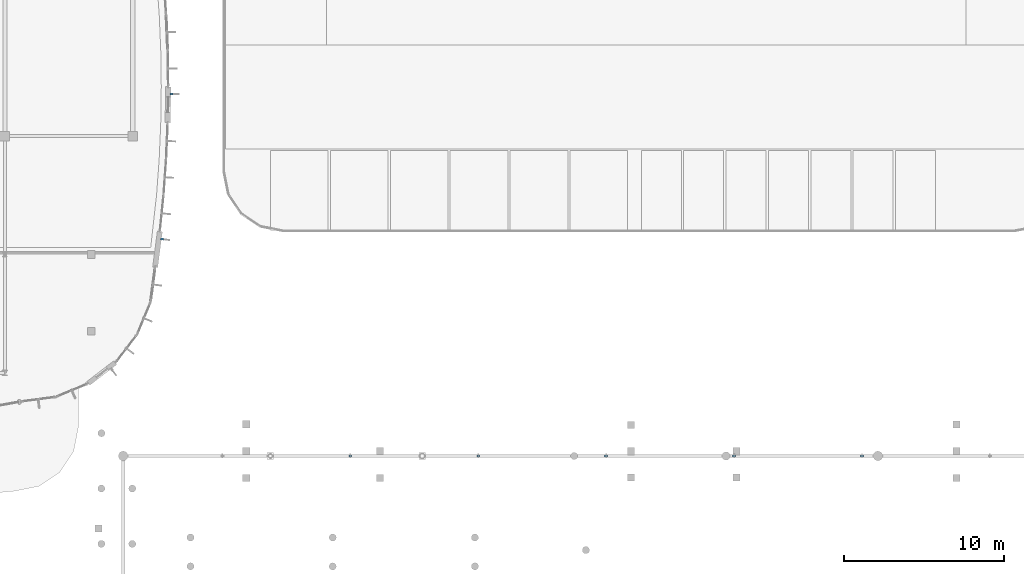
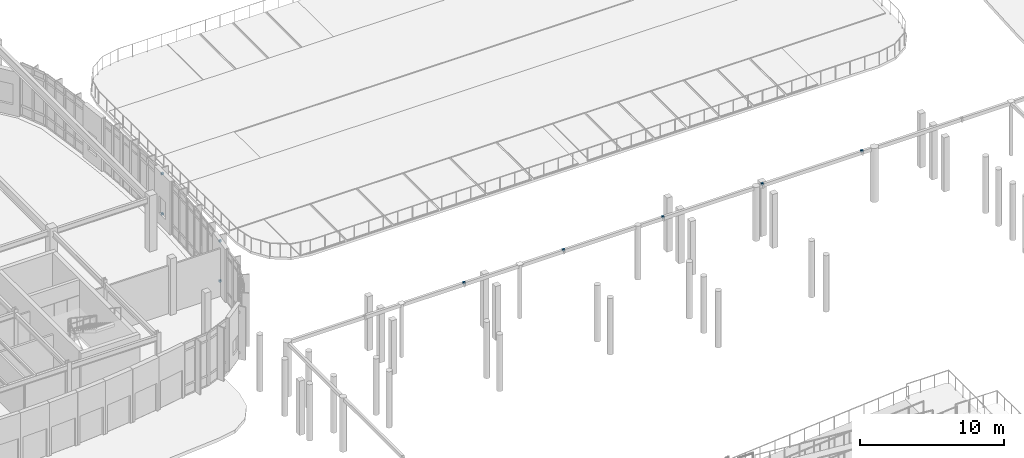
# One storey, part 100 of 120: 9 discrete accessories.
"""IFC4 building model written with IfcOpenShell, lengths in metres."""

import ifcopenshell
import ifcopenshell.guid

model = None  # the IFC model being written
_history = None  # IfcOwnerHistory: only IFC2X3 demands one
_inside = {}  # id of a spatial element -> (the spatial element, [elements in it])
_under = {}  # id of a project, library or spatial element -> (it, [spatial elements below it])
_declared = {}  # id of a project -> (the project, [libraries it declares])
_typed = {}  # id of a type object -> (the type object, [elements of that type])
_made_of = {}  # id of a material, layer set ... -> (it, [elements and type objects made of it])


def new_model(schema):
    """Start an empty IFC model of exactly this schema.

    Asked for "IFC4X3", IfcOpenShell would pick the latest addendum, in which some entities
    have other attributes; the version numbers below select the first issue.
    IFC2X3 requires an IfcOwnerHistory on every rooted entity: one is made here for all.
    """
    global model, _history
    if schema == "IFC4X3":
        model = ifcopenshell.file(schema_version=(4, 3, 0, 0))
    else:
        model = ifcopenshell.file(schema=schema)
    _inside.clear()
    _under.clear()
    _declared.clear()
    _typed.clear()
    _made_of.clear()
    _history = None
    if model.schema == "IFC2X3":
        org = make("IfcOrganization", Name="unknown")
        user = make(
            "IfcPersonAndOrganization",
            ThePerson=make("IfcPerson", FamilyName="unknown"),
            TheOrganization=org,
        )
        app = make(
            "IfcApplication",
            ApplicationDeveloper=org,
            Version="unknown",
            ApplicationFullName="unknown",
            ApplicationIdentifier="unknown",
        )
        _history = make(
            "IfcOwnerHistory",
            OwningUser=user,
            OwningApplication=app,
            ChangeAction="ADDED",
            CreationDate=0,
        )
    return model


def make(cls, **values):
    """One entity of the class cls with the attributes given. An attribute that is None is left unset."""
    return model.create_entity(
        cls, **{name: value for name, value in values.items() if value is not None}
    )


def rooted(cls, **values):
    """An entity with a GlobalId (a new one), such as an element, a storey or a relation."""
    return make(cls, GlobalId=ifcopenshell.guid.new(), OwnerHistory=_history, **values)


def si_unit(unit_type, name, prefix=None):
    """IfcSIUnit, for example si_unit("LENGTHUNIT", "METRE", prefix="MILLI")."""
    return make("IfcSIUnit", UnitType=unit_type, Prefix=prefix, Name=name)


def assignment(units):
    """IfcUnitAssignment: the units of a project."""
    return None if units is None else make("IfcUnitAssignment", Units=units)


def point(xyz):
    """IfcCartesianPoint."""
    return None if xyz is None else make("IfcCartesianPoint", Coordinates=xyz)


def direction(xyz):
    """IfcDirection."""
    return None if xyz is None else make("IfcDirection", DirectionRatios=xyz)


def frame(location, z_axis=None, x_axis=None):
    """IfcAxis2Placement3D, a coordinate frame: its origin and axes. An axis left out is left unset."""
    return make(
        "IfcAxis2Placement3D",
        Location=point(location),
        Axis=direction(z_axis),
        RefDirection=direction(x_axis),
    )


def frame_2d(location, x_axis=None):
    """IfcAxis2Placement2D, a coordinate frame in the plane: its origin and x axis."""
    return make(
        "IfcAxis2Placement2D", Location=point(location), RefDirection=direction(x_axis)
    )


def origin():
    """The frame at (0, 0, 0) with its axes left unset."""
    return frame((0.0, 0.0, 0.0))


def origin_2d():
    """The frame at (0, 0) in the plane with its x axis left unset."""
    return frame_2d((0.0, 0.0))


def place(relative_to, where):
    """IfcLocalPlacement: puts the frame where relative to a parent placement (None: the world)."""
    return make(
        "IfcLocalPlacement", PlacementRelTo=relative_to, RelativePlacement=where
    )


def context(
    kind, dimensions, precision=None, world=None, true_north=None, identifier=None
):
    """IfcGeometricRepresentationContext, for example the 3D "Model" context."""
    return make(
        "IfcGeometricRepresentationContext",
        ContextIdentifier=identifier,
        ContextType=kind,
        CoordinateSpaceDimension=dimensions,
        Precision=precision,
        WorldCoordinateSystem=world,
        TrueNorth=true_north,
    )


def subcontext(parent, identifier, kind, view, scale=None):
    """IfcGeometricRepresentationSubContext, for example "Body" below "Model"."""
    return make(
        "IfcGeometricRepresentationSubContext",
        ContextIdentifier=identifier,
        ContextType=kind,
        ParentContext=parent,
        TargetScale=scale,
        TargetView=view,
    )


def project(units=None, contexts=None):
    """IfcProject with its units and contexts."""
    return rooted(
        "IfcProject",
        Name="project",
        RepresentationContexts=contexts,
        UnitsInContext=assignment(units),
    )


def spatial(cls, under=None, at=None, **own):
    """A site, building, storey or space (cls), placed at a placement, below another one or the project."""
    s = rooted(cls, ObjectPlacement=at, **own)
    if under is not None:
        _under.setdefault(under.id(), (under, []))[1].append(s)
    return s


def profile(cls, at=None, kind="AREA", **sizes):
    """A parametric profile (cls). Its sizes go by their IFC names, for example OverallWidth=200.0."""
    return make(cls, ProfileType=kind, Position=at, **sizes)


def rectangle(**sizes):
    """IfcRectangleProfileDef."""
    return profile("IfcRectangleProfileDef", **sizes)


def extrude(swept, where, along, depth):
    """IfcExtrudedAreaSolid: the profile swept, set in the frame where, extruded along a direction by depth."""
    return make(
        "IfcExtrudedAreaSolid",
        SweptArea=swept,
        Position=where,
        ExtrudedDirection=direction(along),
        Depth=depth,
    )


def shape(context_of_items, identifier, shape_type, items):
    """IfcShapeRepresentation: the items that make up one representation, for example the "Body"."""
    return make(
        "IfcShapeRepresentation",
        ContextOfItems=context_of_items,
        RepresentationIdentifier=identifier,
        RepresentationType=shape_type,
        Items=items,
    )


def material(Name=None, Category=None):
    """IfcMaterial."""
    return make("IfcMaterial", Name=Name, Category=Category)


def made_of(thing, what):
    """Note that an element or type object is made of a material, layer set ...; save() writes the relation."""
    if what is not None:
        _made_of.setdefault(what.id(), (what, []))[1].append(thing)
    return thing


def type_object(cls, material=None, **own):
    """A type object (cls), such as IfcWallType, which elements share."""
    return made_of(rooted(cls, **own), material)


def element(
    cls,
    number,
    at=None,
    inside=None,
    cuts=None,
    type_object=None,
    material=None,
    context=None,
    identifier="Body",
    shape_type=None,
    held_by="IfcProductDefinitionShape",
    body=None,
    shapes=None,
    **own,
):
    """One element of the class cls, such as IfcWall. Its Tag is "e" and its number.

    at: its placement. inside: the storey or other place that contains it. cuts: it is an
    opening in that element (IfcRelVoidsElement). A single representation is given by context,
    identifier, shape_type and body (its items); several are given by shapes. held_by: the class
    of the entity that holds the representations. save() writes the other relations.
    """
    e = rooted(cls, Tag="e%d" % number, ObjectPlacement=at, **own)
    if body is not None:
        shapes = [shape(context, identifier, shape_type, body)]
    if shapes is not None:
        e.Representation = make(held_by, Representations=shapes)
    if inside is not None:
        _inside.setdefault(inside.id(), (inside, []))[1].append(e)
    if cuts is not None:
        rooted(
            "IfcRelVoidsElement", RelatingBuildingElement=cuts, RelatedOpeningElement=e
        )
    if type_object is not None:
        _typed.setdefault(type_object.id(), (type_object, []))[1].append(e)
    return made_of(e, material)


def aggregate(whole, parts):
    """IfcRelAggregates: a whole, such as a stair, and the parts it consists of."""
    return rooted("IfcRelAggregates", RelatingObject=whole, RelatedObjects=parts)


def save(model, path):
    """Write the relations noted so far, then the file.

    IfcRelAggregates (storeys below a building ...), IfcRelContainedInSpatialStructure (elements
    in a storey), IfcRelDefinesByType, IfcRelAssociatesMaterial and IfcRelDeclares: one each for
    every whole, place, type object, material and project.
    """
    for whole, parts in _under.values():
        aggregate(whole, parts)
    for where, things in _inside.values():
        rooted(
            "IfcRelContainedInSpatialStructure",
            RelatedElements=things,
            RelatingStructure=where,
        )
    for kind, things in _typed.values():
        rooted("IfcRelDefinesByType", RelatedObjects=things, RelatingType=kind)
    for what, things in _made_of.values():
        rooted("IfcRelAssociatesMaterial", RelatedObjects=things, RelatingMaterial=what)
    for by, libraries in _declared.values():
        rooted("IfcRelDeclares", RelatingContext=by, RelatedDefinitions=libraries)
    model.write(path)


model = new_model("IFC4")

# Units and contexts
model_context = context("Model", 3, precision=1e-05, world=origin(), true_north=direction((0.0, 1.0)))
body_context = subcontext(model_context, "Body", "Model", "MODEL_VIEW")
ifc_project = project(units=[si_unit("LENGTHUNIT", "METRE"), si_unit("AREAUNIT", "SQUARE_METRE"), si_unit("VOLUMEUNIT", "CUBIC_METRE"), si_unit("PLANEANGLEUNIT", "RADIAN"), si_unit("MASSUNIT", "GRAM", prefix="KILO")], contexts=[model_context])

# Site, building, storey
site_placement = place(None, origin())
site = spatial("IfcSite", under=ifc_project, at=site_placement, CompositionType="ELEMENT")
building_placement = place(site_placement, origin())
building = spatial("IfcBuilding", under=site, at=building_placement, Name="Corveleigh Park Community Centre", CompositionType="ELEMENT")
storey_placement = place(building_placement, origin())
storey = spatial("IfcBuildingStorey", under=building, at=storey_placement, Name="L00", CompositionType="ELEMENT", Elevation=0.0)

# Discrete accessories
ifc_material = material(Name="Stainless steel 316 balustrade", Category="steel")
discrete_accessory_type = type_object("IfcDiscreteAccessoryType", Name="ACC-BRK-STL", PredefinedType="BRACKET", material=ifc_material)
for number, where, z_axis, x_axis, name in (
    (1, (56.23388671875, 86.367919921875, 0.5), (0.0, 0.0, 1.0), (0.991508592502, -0.13004118961, 0.0), "Fin fixing bracket lower"),
    (2, (56.23388671875, 86.367919921875, 3.912109375), (0.0, 0.0, 1.0), (0.991508592502, -0.13004118961, 0.0), "Fin fixing bracket upper"),
    (3, (56.822998046875, 95.43798828125, 0.5), (0.0, 0.0, 1.0), (0.999892461794, -0.014665089441, 0.0), "Fin fixing bracket lower"),
    (4, (56.822998046875, 95.43798828125, 3.912109375), (0.0, 0.0, 1.0), (0.999892461794, -0.014665089441, 0.0), "Fin fixing bracket upper"),
    (5, (68.0, 72.800048828125, 4.449951171875), (0.0, 0.0, 1.0), (1.0, 0.0, 0.0), "Canopy louvre bracket 2"),
    (6, (76.0, 72.800048828125, 4.449951171875), (0.0, 0.0, 1.0), (1.0, 0.0, 0.0), "Canopy louvre bracket 3"),
    (7, (84.0, 72.800048828125, 4.449951171875), (0.0, 0.0, 1.0), (1.0, 0.0, 0.0), "Canopy louvre bracket 4"),
    (8, (92.0, 72.800048828125, 4.449951171875), (0.0, 0.0, 1.0), (1.0, 0.0, 0.0), "Canopy louvre bracket 5"),
    (9, (100.0, 72.800048828125, 4.449951171875), (0.0, 0.0, 1.0), (1.0, 0.0, 0.0), "Canopy louvre bracket 6"),
):
    element("IfcDiscreteAccessory", number, at=place(storey_placement, frame(where, z_axis=z_axis, x_axis=x_axis)), inside=storey, type_object=discrete_accessory_type, Name=name, PredefinedType="BRACKET", context=body_context, shape_type="SweptSolid", body=[
        extrude(rectangle(XDim=0.179931640625, YDim=0.139892578125, at=origin_2d()), origin(), (0.0, 0.0, 1.0), 0.169921875),
    ])

save(model, "model.ifc")
